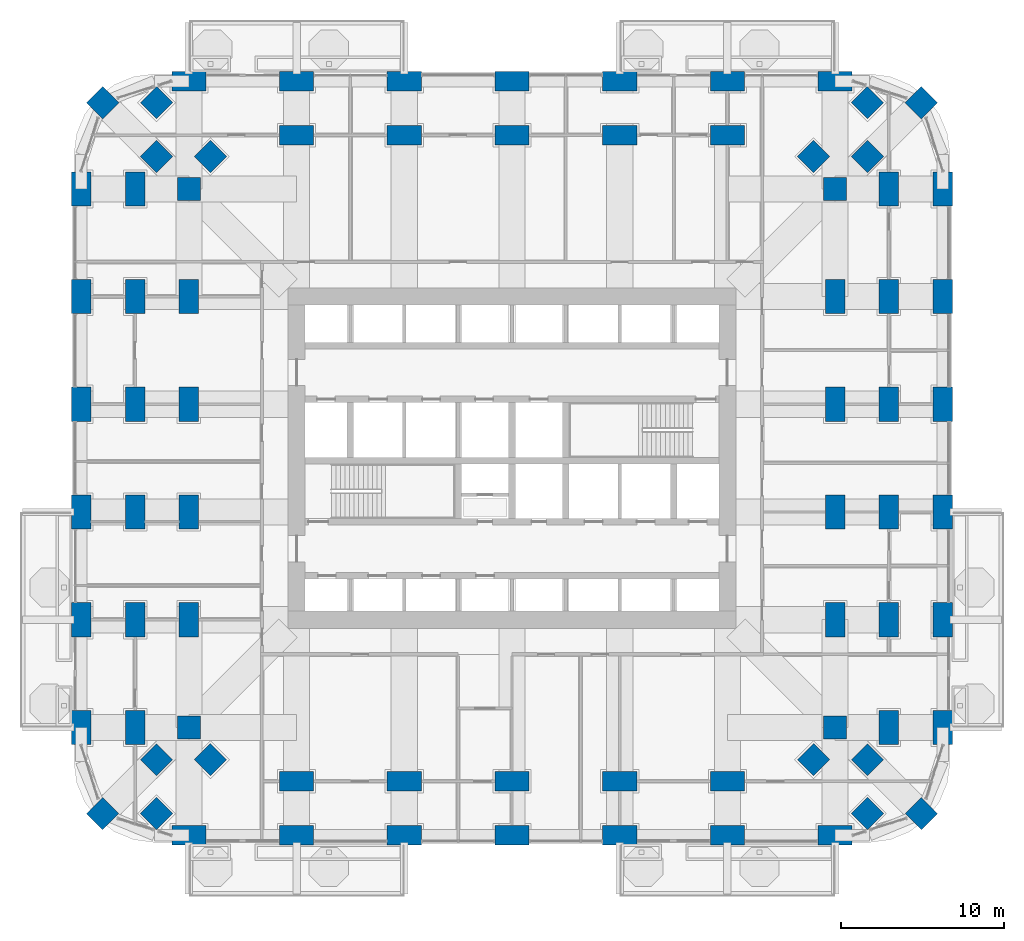
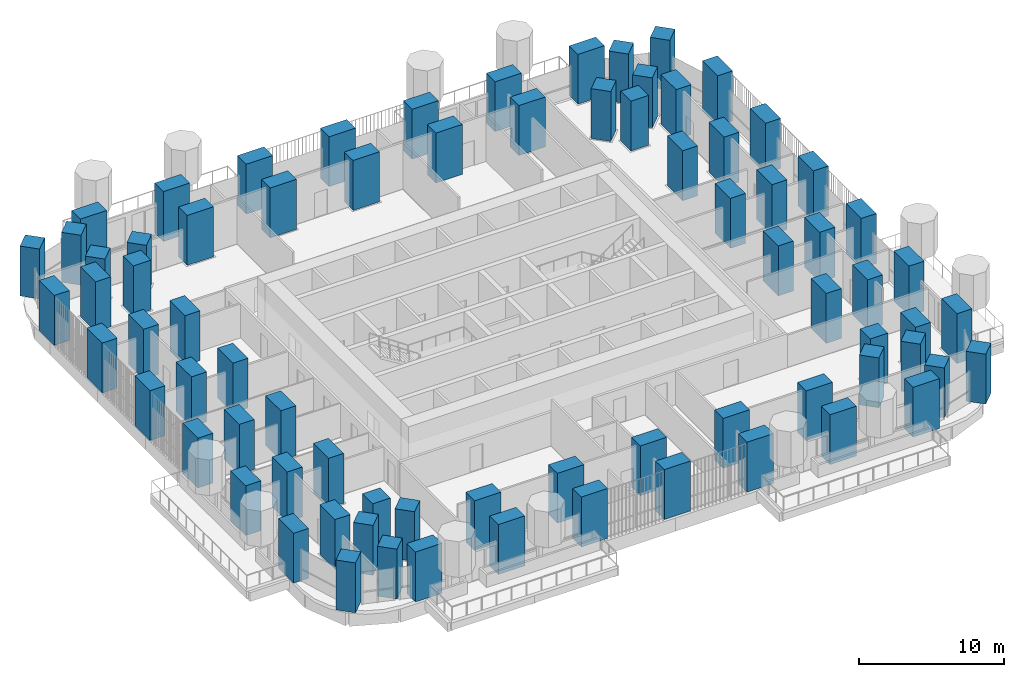
# One storey, part 1 of 27: 76 columns.
"""IFC4 building model written with IfcOpenShell, lengths in metres."""

from ifc_helpers import new_model, si_unit, direction, frame, origin, origin_2d, place, context, subcontext, project, spatial, rectangle, extrude, material, material_profile, profile_set, type_object, element, save


model = new_model("IFC4")

# Units and contexts
model_context = context("Model", 3, precision=1e-05, world=origin(), true_north=direction((0.0, 1.0)))
body_context = subcontext(model_context, "Body", "Model", "MODEL_VIEW")
ifc_project = project(units=[si_unit("LENGTHUNIT", "METRE"), si_unit("AREAUNIT", "SQUARE_METRE"), si_unit("VOLUMEUNIT", "CUBIC_METRE"), si_unit("PLANEANGLEUNIT", "RADIAN"), si_unit("MASSUNIT", "GRAM", prefix="KILO")], contexts=[model_context])

# Site, building, storey
site_placement = place(None, origin())
site = spatial("IfcSite", under=ifc_project, at=site_placement, CompositionType="ELEMENT")
building_placement = place(site_placement, origin())
building = spatial("IfcBuilding", under=site, at=building_placement, Name="Cobogo Forest Laboratory Tower", CompositionType="ELEMENT")
storey_placement = place(building_placement, frame((0.0, 0.0, 54.89990234375)))
storey = spatial("IfcBuildingStorey", under=building, at=storey_placement, Name="L12", CompositionType="ELEMENT", Elevation=54.89990234375)

# Columns
ifc_material = material(Name="Concrete HA-50 (C50/60)", Category="concrete")
ifc_material_profile_1 = material_profile(ifc_material, rectangle(XDim=2.10009765625, YDim=1.199951171875, at=origin_2d()), Name="RC 1200x2100")
ifc_profile_set_1 = profile_set([ifc_material_profile_1], Name="Concrete HA-50 (C50/60)")
column_type_1 = type_object("IfcColumnType", Name="Blade column 1200x2100", PredefinedType="COLUMN", material=ifc_profile_set_1)
for number, where, z_axis, x_axis, name in (
    (1, (6.60009765625, 0.0, 0.0), (0.0, 0.0, 1.0), (1.0, 0.0, 0.0), "Column 2-A L12"),
    (2, (13.199951171875, 0.0, 0.0), (0.0, 0.0, 1.0), (1.0, 0.0, 0.0), "Column 3-A L12"),
    (3, (19.800048828125, 0.0, 0.0), (0.0, 0.0, 1.0), (1.0, 0.0, 0.0), "Column 4-A L12"),
    (4, (26.39990234375, 0.0, 0.0), (0.0, 0.0, 1.0), (1.0, 0.0, 0.0), "Column 5-A L12"),
    (5, (33.0, 0.0, 0.0), (0.0, 0.0, 1.0), (1.0, 0.0, 0.0), "Column 6-A L12"),
    (6, (39.60009765625, 0.0, 0.0), (0.0, 0.0, 1.0), (1.0, 0.0, 0.0), "Column 7-A L12"),
    (7, (46.199951171875, 0.0, 0.0), (0.0, 0.0, 1.0), (1.0, 0.0, 0.0), "Column 8-A L12"),
    (8, (0.0, 6.60009765625, 0.0), (0.0, 0.0, 1.0), (0.0, 1.0, 0.0), "Column 1-B L12"),
    (9, (52.800048828125, 6.60009765625, 0.0), (0.0, 0.0, 1.0), (0.0, 1.0, 0.0), "Column 9-B L12"),
    (10, (0.0, 13.199951171875, 0.0), (0.0, 0.0, 1.0), (0.0, 1.0, 0.0), "Column 1-C L12"),
    (11, (52.800048828125, 13.199951171875, 0.0), (0.0, 0.0, 1.0), (0.0, 1.0, 0.0), "Column 9-C L12"),
    (12, (0.0, 19.800048828125, 0.0), (0.0, 0.0, 1.0), (0.0, 1.0, 0.0), "Column 1-D L12"),
    (13, (52.800048828125, 19.800048828125, 0.0), (0.0, 0.0, 1.0), (0.0, 1.0, 0.0), "Column 9-D L12"),
    (14, (0.0, 26.39990234375, 0.0), (0.0, 0.0, 1.0), (0.0, 1.0, 0.0), "Column 1-E L12"),
    (15, (52.800048828125, 26.39990234375, 0.0), (0.0, 0.0, 1.0), (0.0, 1.0, 0.0), "Column 9-E L12"),
    (16, (0.0, 33.0, 0.0), (0.0, 0.0, 1.0), (0.0, 1.0, 0.0), "Column 1-F L12"),
    (17, (52.800048828125, 33.0, 0.0), (0.0, 0.0, 1.0), (0.0, 1.0, 0.0), "Column 9-F L12"),
    (18, (0.0, 39.60009765625, 0.0), (0.0, 0.0, 1.0), (0.0, 1.0, 0.0), "Column 1-G L12"),
    (19, (52.800048828125, 39.60009765625, 0.0), (0.0, 0.0, 1.0), (0.0, 1.0, 0.0), "Column 9-G L12"),
    (20, (6.60009765625, 46.199951171875, 0.0), (0.0, 0.0, 1.0), (1.0, 0.0, 0.0), "Column 2-H L12"),
    (21, (13.199951171875, 46.199951171875, 0.0), (0.0, 0.0, 1.0), (1.0, 0.0, 0.0), "Column 3-H L12"),
    (22, (19.800048828125, 46.199951171875, 0.0), (0.0, 0.0, 1.0), (1.0, 0.0, 0.0), "Column 4-H L12"),
    (23, (26.39990234375, 46.199951171875, 0.0), (0.0, 0.0, 1.0), (1.0, 0.0, 0.0), "Column 5-H L12"),
    (24, (33.0, 46.199951171875, 0.0), (0.0, 0.0, 1.0), (1.0, 0.0, 0.0), "Column 6-H L12"),
    (25, (39.60009765625, 46.199951171875, 0.0), (0.0, 0.0, 1.0), (1.0, 0.0, 0.0), "Column 7-H L12"),
    (26, (46.199951171875, 46.199951171875, 0.0), (0.0, 0.0, 1.0), (1.0, 0.0, 0.0), "Column 8-H L12"),
    (27, (3.300048828125, 6.60009765625, 0.0), (0.0, 0.0, 1.0), (0.0, 1.0, 0.0), "Column 1.1-B-B L12"),
    (28, (49.5, 6.60009765625, 0.0), (0.0, 0.0, 1.0), (0.0, 1.0, 0.0), "Column 8.1-B-B L12"),
    (29, (3.300048828125, 13.199951171875, 0.0), (0.0, 0.0, 1.0), (0.0, 1.0, 0.0), "Column 1.1-C-B L12"),
    (30, (49.5, 13.199951171875, 0.0), (0.0, 0.0, 1.0), (0.0, 1.0, 0.0), "Column 8.1-C-B L12"),
    (31, (3.300048828125, 19.800048828125, 0.0), (0.0, 0.0, 1.0), (0.0, 1.0, 0.0), "Column 1.1-D-B L12"),
    (32, (49.5, 19.800048828125, 0.0), (0.0, 0.0, 1.0), (0.0, 1.0, 0.0), "Column 8.1-D-B L12"),
    (33, (3.300048828125, 26.39990234375, 0.0), (0.0, 0.0, 1.0), (0.0, 1.0, 0.0), "Column 1.1-E-B L12"),
    (34, (49.5, 26.39990234375, 0.0), (0.0, 0.0, 1.0), (0.0, 1.0, 0.0), "Column 8.1-E-B L12"),
    (35, (3.300048828125, 33.0, 0.0), (0.0, 0.0, 1.0), (0.0, 1.0, 0.0), "Column 1.1-F-B L12"),
    (36, (49.5, 33.0, 0.0), (0.0, 0.0, 1.0), (0.0, 1.0, 0.0), "Column 8.1-F-B L12"),
    (37, (3.300048828125, 39.60009765625, 0.0), (0.0, 0.0, 1.0), (0.0, 1.0, 0.0), "Column 1.1-G-B L12"),
    (38, (49.5, 39.60009765625, 0.0), (0.0, 0.0, 1.0), (0.0, 1.0, 0.0), "Column 8.1-G-B L12"),
    (39, (13.199951171875, 3.300048828125, 0.0), (0.0, 0.0, 1.0), (1.0, 0.0, 0.0), "Column 3-A.1-C L12"),
    (40, (19.800048828125, 3.300048828125, 0.0), (0.0, 0.0, 1.0), (1.0, 0.0, 0.0), "Column 4-A.1-C L12"),
    (41, (26.39990234375, 3.300048828125, 0.0), (0.0, 0.0, 1.0), (1.0, 0.0, 0.0), "Column 5-A.1-C L12"),
    (42, (33.0, 3.300048828125, 0.0), (0.0, 0.0, 1.0), (1.0, 0.0, 0.0), "Column 6-A.1-C L12"),
    (43, (39.60009765625, 3.300048828125, 0.0), (0.0, 0.0, 1.0), (1.0, 0.0, 0.0), "Column 7-A.1-C L12"),
    (44, (13.199951171875, 42.89990234375, 0.0), (0.0, 0.0, 1.0), (1.0, 0.0, 0.0), "Column 3-G.1-C L12"),
    (45, (19.800048828125, 42.89990234375, 0.0), (0.0, 0.0, 1.0), (1.0, 0.0, 0.0), "Column 4-G.1-C L12"),
    (46, (26.39990234375, 42.89990234375, 0.0), (0.0, 0.0, 1.0), (1.0, 0.0, 0.0), "Column 5-G.1-C L12"),
    (47, (33.0, 42.89990234375, 0.0), (0.0, 0.0, 1.0), (1.0, 0.0, 0.0), "Column 6-G.1-C L12"),
    (48, (39.60009765625, 42.89990234375, 0.0), (0.0, 0.0, 1.0), (1.0, 0.0, 0.0), "Column 7-G.1-C L12"),
    (49, (6.60009765625, 13.199951171875, 0.0), (0.0, 0.0, 1.0), (0.0, 1.0, 0.0), "Column 2-C-D L12"),
    (50, (46.199951171875, 13.199951171875, 0.0), (0.0, 0.0, 1.0), (0.0, 1.0, 0.0), "Column 8-C-D L12"),
    (51, (6.60009765625, 19.800048828125, 0.0), (0.0, 0.0, 1.0), (0.0, 1.0, 0.0), "Column 2-D-D L12"),
    (52, (46.199951171875, 19.800048828125, 0.0), (0.0, 0.0, 1.0), (0.0, 1.0, 0.0), "Column 8-D-D L12"),
    (53, (6.60009765625, 26.39990234375, 0.0), (0.0, 0.0, 1.0), (0.0, 1.0, 0.0), "Column 2-E-D L12"),
    (54, (46.199951171875, 26.39990234375, 0.0), (0.0, 0.0, 1.0), (0.0, 1.0, 0.0), "Column 8-E-D L12"),
    (55, (6.60009765625, 33.0, 0.0), (0.0, 0.0, 1.0), (0.0, 1.0, 0.0), "Column 2-F-D L12"),
    (56, (46.199951171875, 33.0, 0.0), (0.0, 0.0, 1.0), (0.0, 1.0, 0.0), "Column 8-F-D L12"),
):
    element("IfcColumn", number, at=place(storey_placement, frame(where, z_axis=z_axis, x_axis=x_axis)), inside=storey, type_object=column_type_1, Name=name, PredefinedType="COLUMN", context=body_context, shape_type="SweptSolid", body=[
        extrude(rectangle(XDim=2.10009765625, YDim=1.199951171875, at=origin_2d()), origin(), (0.0, 0.0, 1.0), 4.2001953125),
    ])
ifc_material_profile_2 = material_profile(ifc_material, rectangle(XDim=1.39990234375, YDim=1.39990234375, at=origin_2d()), Name="RC 1400x1400")
ifc_profile_set_2 = profile_set([ifc_material_profile_2], Name="Concrete HA-50 (C50/60)")
column_type_2 = type_object("IfcColumnType", Name="Column 1400x1400", PredefinedType="COLUMN", material=ifc_profile_set_2)
for number, where, z_axis, x_axis, name in (
    (57, (1.318115234375, 1.318115234375, 0.0), (0.0, 0.0, 1.0), (0.707106781187, 0.707106781187, 0.0), "Column CNR-SW L12"),
    (58, (51.48193359375, 1.318115234375, 0.0), (0.0, 0.0, 1.0), (0.707106781187, 0.707106781187, 0.0), "Column CNR-SE L12"),
    (59, (1.318115234375, 44.882080078125, 0.0), (0.0, 0.0, 1.0), (0.707106781187, 0.707106781187, 0.0), "Column CNR-NW L12"),
    (60, (51.48193359375, 44.882080078125, 0.0), (0.0, 0.0, 1.0), (0.707106781187, 0.707106781187, 0.0), "Column CNR-NE L12"),
    (61, (6.60009765625, 6.60009765625, 0.0), (0.0, 0.0, 1.0), (1.0, 0.0, 0.0), "Column 2-B L12"),
    (62, (46.199951171875, 6.60009765625, 0.0), (0.0, 0.0, 1.0), (1.0, 0.0, 0.0), "Column 8-B L12"),
    (63, (6.60009765625, 39.60009765625, 0.0), (0.0, 0.0, 1.0), (1.0, 0.0, 0.0), "Column 2-G L12"),
    (64, (46.199951171875, 39.60009765625, 0.0), (0.0, 0.0, 1.0), (1.0, 0.0, 0.0), "Column 8-G L12"),
    (65, (4.617919921875, 1.318115234375, 0.0), (0.0, 0.0, 1.0), (0.707106781187, 0.707106781187, 0.0), "Column CNR-SW-B L12"),
    (66, (48.181884765625, 1.318115234375, 0.0), (0.0, 0.0, 1.0), (0.707106781187, 0.707106781187, 0.0), "Column CNR-SE-B L12"),
    (67, (4.617919921875, 44.882080078125, 0.0), (0.0, 0.0, 1.0), (0.707106781187, 0.707106781187, 0.0), "Column CNR-NW-B L12"),
    (68, (48.181884765625, 44.882080078125, 0.0), (0.0, 0.0, 1.0), (0.707106781187, 0.707106781187, 0.0), "Column CNR-NE-B L12"),
    (69, (4.617919921875, 4.617919921875, 0.0), (0.0, 0.0, 1.0), (0.707106781187, 0.707106781187, 0.0), "Column CNR-SW-C L12"),
    (70, (48.181884765625, 4.617919921875, 0.0), (0.0, 0.0, 1.0), (0.707106781187, 0.707106781187, 0.0), "Column CNR-SE-C L12"),
    (71, (4.617919921875, 41.58203125, 0.0), (0.0, 0.0, 1.0), (0.707106781187, 0.707106781187, 0.0), "Column CNR-NW-C L12"),
    (72, (48.181884765625, 41.58203125, 0.0), (0.0, 0.0, 1.0), (0.707106781187, 0.707106781187, 0.0), "Column CNR-NE-C L12"),
    (73, (7.91796875, 4.617919921875, 0.0), (0.0, 0.0, 1.0), (0.707106781187, 0.707106781187, 0.0), "Column CNR-SW-D L12"),
    (74, (44.882080078125, 4.617919921875, 0.0), (0.0, 0.0, 1.0), (0.707106781187, 0.707106781187, 0.0), "Column CNR-SE-D L12"),
    (75, (7.91796875, 41.58203125, 0.0), (0.0, 0.0, 1.0), (0.707106781187, 0.707106781187, 0.0), "Column CNR-NW-D L12"),
    (76, (44.882080078125, 41.58203125, 0.0), (0.0, 0.0, 1.0), (0.707106781187, 0.707106781187, 0.0), "Column CNR-NE-D L12"),
):
    element("IfcColumn", number, at=place(storey_placement, frame(where, z_axis=z_axis, x_axis=x_axis)), inside=storey, type_object=column_type_2, Name=name, PredefinedType="COLUMN", context=body_context, shape_type="SweptSolid", body=[
        extrude(rectangle(XDim=1.39990234375, YDim=1.39990234375, at=origin_2d()), origin(), (0.0, 0.0, 1.0), 4.2001953125),
    ])

save(model, "model.ifc")
